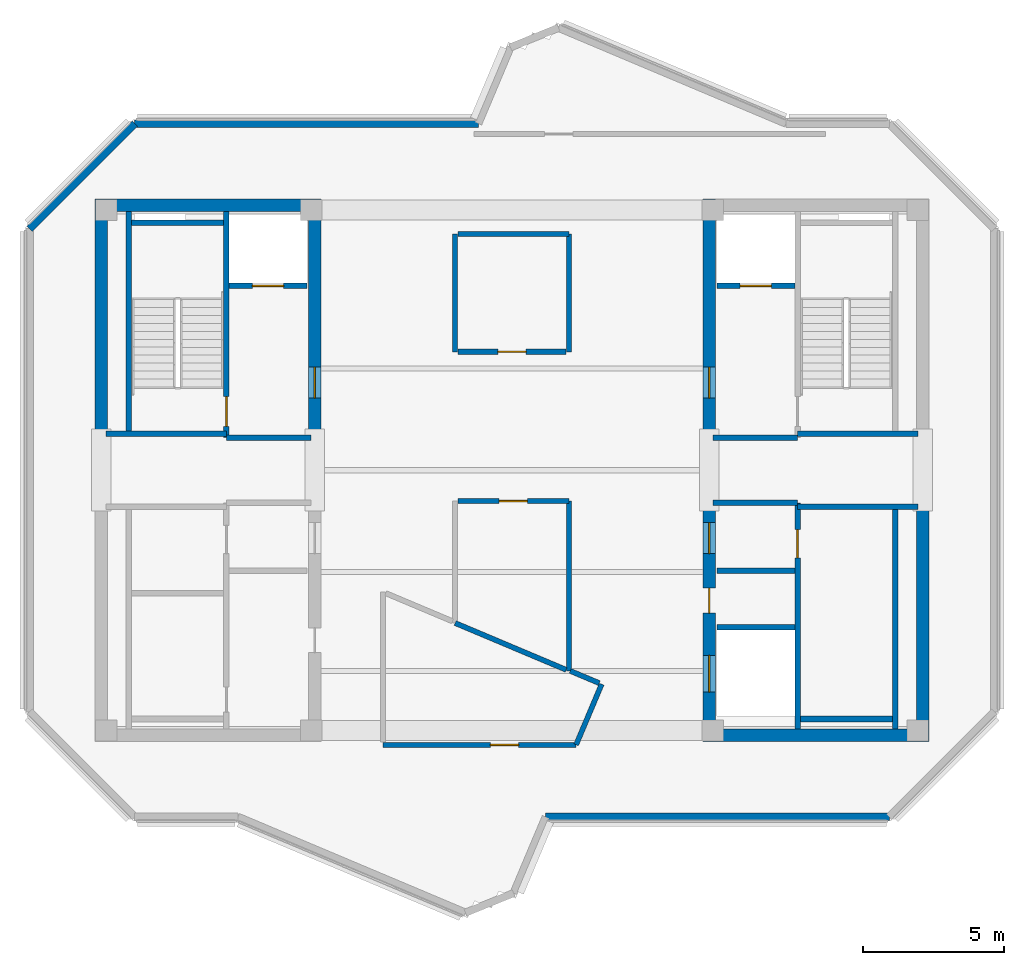
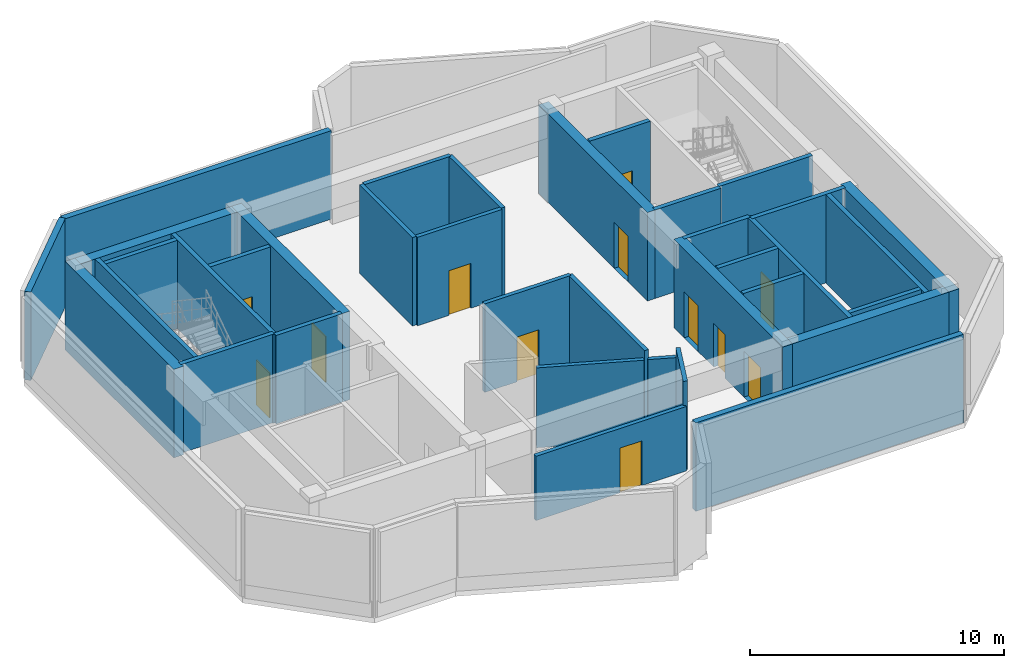
# One storey, part 2 of 5: 36 walls, 12 doors, 12 openings.
"""IFC4 building model written with IfcOpenShell, lengths in metres."""

from ifc_helpers import new_model, si_unit, direction, frame, frame_2d, origin, place, context, subcontext, project, spatial, rectangle, extrude, source, transform, mapped, material, layer, layer_set, type_object, element, fill, save


model = new_model("IFC4")

# Units and contexts
model_context = context("Model", 3, precision=1e-05, world=origin(), true_north=direction((0.0, 1.0)))
body_context = subcontext(model_context, "Body", "Model", "MODEL_VIEW")
ifc_project = project(units=[si_unit("LENGTHUNIT", "METRE"), si_unit("AREAUNIT", "SQUARE_METRE"), si_unit("VOLUMEUNIT", "CUBIC_METRE"), si_unit("PLANEANGLEUNIT", "RADIAN"), si_unit("MASSUNIT", "GRAM", prefix="KILO")], contexts=[model_context])

# Site, building, storey
site_placement = place(None, origin())
site = spatial("IfcSite", under=ifc_project, at=site_placement, CompositionType="ELEMENT")
building_placement = place(site_placement, origin())
building = spatial("IfcBuilding", under=site, at=building_placement, Name="Zahravan Cultural Tower", CompositionType="ELEMENT")
storey_placement = place(building_placement, frame((0.0, 0.0, 375.14990234375)))
storey = spatial("IfcBuildingStorey", under=building, at=storey_placement, Name="L91", CompositionType="ELEMENT", Elevation=375.14990234375)

# Wall, opening, door
ifc_material_1 = material(Name="Concrete C50/60", Category="concrete")
ifc_layer_1 = layer(ifc_material_1, 0.449951171875)
ifc_layer_set_1 = layer_set([ifc_layer_1], Name="Concrete C50/60")
wall_type_1 = type_object("IfcWallType", Name="CW-SHEAR-450-C50", PredefinedType="SHEAR", material=ifc_layer_set_1)
wall_1_placement = place(storey_placement, frame((29.02490234375, 28.050048828125, 0.0), z_axis=(0.0, 0.0, 1.0), x_axis=(0.0, 1.0, 0.0)))
wall_1 = element("IfcWall", 1, at=wall_1_placement, inside=storey, type_object=wall_type_1, Name="L91 Core Shear Wall CW-W-EN-L91", PredefinedType="SHEAR", context=body_context, shape_type="SweptSolid", body=[
    extrude(rectangle(XDim=8.550048828125, YDim=0.449951171875, at=frame_2d((4.27490234375, 0.0))), origin(), (0.0, 0.0, 1.0), 4.25),
])
opening_1_placement = place(wall_1_placement, frame((1.5, 0.0, 0.0)))
opening_1 = element("IfcOpeningElement", 2, at=opening_1_placement, cuts=wall_1, Name="Opening D-L91-06", PredefinedType="OPENING", context=body_context, shape_type="SweptSolid", body=[
    extrude(rectangle(XDim=1.10009765625, YDim=2.199951171875, at=frame_2d((0.550048828125, 1.10009765625))), frame((0.0, 0.23486328125, 0.0), z_axis=(0.0, -1.0, 0.0), x_axis=(1.0, 0.0, 0.0)), (0.0, 0.0, 1.0), 0.469970703125),
])
ifc_material_2 = material(Name="Steel ASTM A572 Grade 50", Category="steel")
door_type_1 = type_object("IfcDoorType", Name="DR-LOBBY-1100", OperationType="NOTDEFINED", PredefinedType="DOOR", material=ifc_material_2)
shared_shape_1 = source(origin(), body_context, "Body", "SweptSolid", [
    extrude(rectangle(XDim=1.10009765625, YDim=2.199951171875, at=frame_2d((0.550048828125, 1.10009765625))), frame((0.0, 0.02490234375, 0.0), z_axis=(0.0, -1.0, 0.0), x_axis=(1.0, 0.0, 0.0)), (0.0, 0.0, 1.0), 0.050048828125),
])
door_1_placement = place(opening_1_placement, origin())
door_1 = element("IfcDoor", 3, at=door_1_placement, inside=storey, type_object=door_type_1, Name="L91 Door D-L91-06", OperationType="SINGLE_SWING_LEFT", OverallHeight=2.199951171875, OverallWidth=1.10009765625, PredefinedType="DOOR", context=body_context, shape_type="MappedRepresentation", body=[
    mapped(shared_shape_1, transform((0.0, 0.0, 0.0), x_axis=(1.0, 0.0, 0.0), y_axis=(0.0, 1.0, 0.0), z_axis=(0.0, 0.0, 1.0), scale=1.0)),
])
fill(opening_1, door_1)

# Wall, openings, doors
wall_2_placement = place(storey_placement, frame((42.97509765625, 17.39990234375, 0.0), z_axis=(0.0, 0.0, 1.0), x_axis=(0.0, 1.0, 0.0)))
wall_2 = element("IfcWall", 4, at=wall_2_placement, inside=storey, type_object=wall_type_1, Name="L91 Core Shear Wall CW-E-WS-L91", PredefinedType="SHEAR", context=body_context, shape_type="SweptSolid", body=[
    extrude(rectangle(XDim=8.550048828125, YDim=0.449951171875, at=frame_2d((4.27490234375, 0.0))), origin(), (0.0, 0.0, 1.0), 4.25),
])
opening_2_placement = place(wall_2_placement, frame((6.64990234375, 0.0, 0.0)))
opening_2 = element("IfcOpeningElement", 5, at=opening_2_placement, cuts=wall_2, Name="Opening D-L91-09", PredefinedType="OPENING", context=body_context, shape_type="SweptSolid", body=[
    extrude(rectangle(XDim=1.10009765625, YDim=2.199951171875, at=frame_2d((0.550048828125, 1.10009765625))), frame((0.0, 0.23486328125, 0.0), z_axis=(0.0, -1.0, 0.0), x_axis=(1.0, 0.0, 0.0)), (0.0, 0.0, 1.0), 0.469970703125),
])
opening_3_placement = place(wall_2_placement, frame((1.75, 0.0, 0.0)))
opening_3 = element("IfcOpeningElement", 6, at=opening_3_placement, cuts=wall_2, Name="Opening LD-L91-03", PredefinedType="OPENING", context=body_context, shape_type="SweptSolid", body=[
    extrude(rectangle(XDim=1.300048828125, YDim=2.199951171875, at=frame_2d((0.64990234375, 1.10009765625))), frame((0.0, 0.23486328125, 0.0), z_axis=(0.0, -1.0, 0.0), x_axis=(1.0, 0.0, 0.0)), (0.0, 0.0, 1.0), 0.469970703125),
])
opening_4_placement = place(wall_2_placement, frame((4.550048828125, 0.0, 0.0)))
opening_4 = element("IfcOpeningElement", 7, at=opening_4_placement, cuts=wall_2, Name="Opening D-L91-11", PredefinedType="OPENING", context=body_context, shape_type="SweptSolid", body=[
    extrude(rectangle(XDim=0.8798828125, YDim=2.10009765625, at=frame_2d((0.43994140625, 1.050048828125))), frame((0.0, 0.23486328125, 0.0), z_axis=(0.0, -1.0, 0.0), x_axis=(1.0, 0.0, 0.0)), (0.0, 0.0, 1.0), 0.469970703125),
])
door_2_placement = place(opening_2_placement, origin())
door_2 = element("IfcDoor", 8, at=door_2_placement, inside=storey, type_object=door_type_1, Name="L91 Door D-L91-09", OperationType="SINGLE_SWING_RIGHT", OverallHeight=2.199951171875, OverallWidth=1.10009765625, PredefinedType="DOOR", context=body_context, shape_type="MappedRepresentation", body=[
    mapped(shared_shape_1, transform((0.0, 0.0, 0.0), x_axis=(1.0, 0.0, 0.0), y_axis=(0.0, 1.0, 0.0), z_axis=(0.0, 0.0, 1.0), scale=1.0)),
])
fill(opening_2, door_2)
door_type_2 = type_object("IfcDoorType", Name="DR-LIFT-1300", OperationType="DOUBLE_DOOR_SLIDING", PredefinedType="DOOR", material=ifc_material_2)
shared_shape_2 = source(origin(), body_context, "Body", "SweptSolid", [
    extrude(rectangle(XDim=1.300048828125, YDim=2.199951171875, at=frame_2d((0.64990234375, 1.10009765625))), frame((0.0, 0.02490234375, 0.0), z_axis=(0.0, -1.0, 0.0), x_axis=(1.0, 0.0, 0.0)), (0.0, 0.0, 1.0), 0.050048828125),
])
door_3_placement = place(opening_3_placement, origin())
door_3 = element("IfcDoor", 9, at=door_3_placement, inside=storey, type_object=door_type_2, Name="L91 Door LD-L91-03", OperationType="DOUBLE_DOOR_SLIDING", OverallHeight=2.199951171875, OverallWidth=1.300048828125, PredefinedType="DOOR", context=body_context, shape_type="MappedRepresentation", body=[
    mapped(shared_shape_2, transform((0.0, 0.0, 0.0), x_axis=(1.0, 0.0, 0.0), y_axis=(0.0, 1.0, 0.0), z_axis=(0.0, 0.0, 1.0), scale=1.0)),
])
fill(opening_3, door_3)
door_type_3 = type_object("IfcDoorType", Name="DR-SVC-880", OperationType="NOTDEFINED", PredefinedType="DOOR", material=ifc_material_2)
shared_shape_3 = source(origin(), body_context, "Body", "SweptSolid", [
    extrude(rectangle(XDim=0.8798828125, YDim=2.10009765625, at=frame_2d((0.43994140625, 1.050048828125))), frame((0.0, 0.02490234375, 0.0), z_axis=(0.0, -1.0, 0.0), x_axis=(1.0, 0.0, 0.0)), (0.0, 0.0, 1.0), 0.050048828125),
])
door_4_placement = place(opening_4_placement, origin())
door_4 = element("IfcDoor", 10, at=door_4_placement, inside=storey, type_object=door_type_3, Name="L91 Door D-L91-11", OperationType="SINGLE_SWING_RIGHT", OverallHeight=2.10009765625, OverallWidth=0.8798828125, PredefinedType="DOOR", context=body_context, shape_type="MappedRepresentation", body=[
    mapped(shared_shape_3, transform((0.0, 0.0, 0.0), x_axis=(1.0, 0.0, 0.0), y_axis=(0.0, 1.0, 0.0), z_axis=(0.0, 0.0, 1.0), scale=1.0)),
])
fill(opening_4, door_4)

# Wall, opening, door
wall_3_placement = place(storey_placement, frame((42.97509765625, 28.050048828125, 0.0), z_axis=(0.0, 0.0, 1.0), x_axis=(0.0, 1.0, 0.0)))
wall_3 = element("IfcWall", 11, at=wall_3_placement, inside=storey, type_object=wall_type_1, Name="L91 Core Shear Wall CW-E-WN-L91", PredefinedType="SHEAR", context=body_context, shape_type="SweptSolid", body=[
    extrude(rectangle(XDim=8.550048828125, YDim=0.449951171875, at=frame_2d((4.27490234375, 0.0))), origin(), (0.0, 0.0, 1.0), 4.25),
])
opening_5_placement = place(wall_3_placement, frame((1.5, 0.0, 0.0)))
opening_5 = element("IfcOpeningElement", 12, at=opening_5_placement, cuts=wall_3, Name="Opening D-L91-07", PredefinedType="OPENING", context=body_context, shape_type="SweptSolid", body=[
    extrude(rectangle(XDim=1.10009765625, YDim=2.199951171875, at=frame_2d((0.550048828125, 1.10009765625))), frame((0.0, 0.23486328125, 0.0), z_axis=(0.0, -1.0, 0.0), x_axis=(1.0, 0.0, 0.0)), (0.0, 0.0, 1.0), 0.469970703125),
])
door_5_placement = place(opening_5_placement, origin())
door_5 = element("IfcDoor", 13, at=door_5_placement, inside=storey, type_object=door_type_1, Name="L91 Door D-L91-07", OperationType="SINGLE_SWING_RIGHT", OverallHeight=2.199951171875, OverallWidth=1.10009765625, PredefinedType="DOOR", context=body_context, shape_type="MappedRepresentation", body=[
    mapped(shared_shape_1, transform((0.0, 0.0, 0.0), x_axis=(1.0, 0.0, 0.0), y_axis=(0.0, 1.0, 0.0), z_axis=(0.0, 0.0, 1.0), scale=1.0)),
])
fill(opening_5, door_5)

ifc_material_3 = material(Name="Gypsum plasterboard partition")
ifc_layer_2 = layer(ifc_material_3, 0.179931640625)
ifc_layer_set_2 = layer_set([ifc_layer_2], Name="Gypsum plasterboard partition")
wall_type_2 = type_object("IfcWallType", Name="W-COMP-180", PredefinedType="PARTITIONING", material=ifc_layer_set_2)
wall_4_placement = place(storey_placement, frame((37.9150390625, 31.18994140625, 0.0), z_axis=(0.0, 0.0, 1.0), x_axis=(-1.0, 0.0, 0.0)))
wall_4 = element("IfcWall", 14, at=wall_4_placement, inside=storey, type_object=wall_type_2, Name="L91 Interior Wall 030", PredefinedType="PARTITIONING", context=body_context, shape_type="SweptSolid", body=[
    extrude(rectangle(XDim=3.830078125, YDim=0.179931640625, at=frame_2d((1.9150390625, 0.0))), origin(), (0.0, 0.0, 1.0), 4.25),
])
opening_6_placement = place(wall_4_placement, frame((1.4150390625, 0.0, 0.0)))
opening_6 = element("IfcOpeningElement", 15, at=opening_6_placement, cuts=wall_4, Name="Opening D-L91-12", PredefinedType="OPENING", context=body_context, shape_type="SweptSolid", body=[
    extrude(rectangle(XDim=1.0, YDim=2.14990234375, at=frame_2d((0.5, 1.074951171875))), frame((0.0, 0.099853515625, 0.0), z_axis=(0.0, -1.0, 0.0), x_axis=(1.0, 0.0, 0.0)), (0.0, 0.0, 1.0), 0.199951171875),
])
door_type_4 = type_object("IfcDoorType", Name="DR-COMP-1000", OperationType="NOTDEFINED", PredefinedType="DOOR", material=ifc_material_2)
shared_shape_4 = source(origin(), body_context, "Body", "SweptSolid", [
    extrude(rectangle(XDim=1.0, YDim=2.14990234375, at=frame_2d((0.5, 1.074951171875))), frame((0.0, 0.02490234375, 0.0), z_axis=(0.0, -1.0, 0.0), x_axis=(1.0, 0.0, 0.0)), (0.0, 0.0, 1.0), 0.050048828125),
])
door_6_placement = place(opening_6_placement, origin())
door_6 = element("IfcDoor", 16, at=door_6_placement, inside=storey, type_object=door_type_4, Name="L91 Door D-L91-12", OperationType="SINGLE_SWING_LEFT", OverallHeight=2.14990234375, OverallWidth=1.0, PredefinedType="DOOR", context=body_context, shape_type="MappedRepresentation", body=[
    mapped(shared_shape_4, transform((0.0, 0.0, 0.0), x_axis=(1.0, 0.0, 0.0), y_axis=(0.0, 1.0, 0.0), z_axis=(0.0, 0.0, 1.0), scale=1.0)),
])
fill(opening_6, door_6)

wall_5_placement = place(storey_placement, frame((34.0849609375, 25.909912109375, 0.0), z_axis=(0.0, 0.0, 1.0), x_axis=(1.0, 0.0, 0.0)))
wall_5 = element("IfcWall", 17, at=wall_5_placement, inside=storey, type_object=wall_type_2, Name="L91 Interior Wall 032", PredefinedType="PARTITIONING", context=body_context, shape_type="SweptSolid", body=[
    extrude(rectangle(XDim=3.925048828125, YDim=0.179931640625, at=frame_2d((1.96240234375, 0.0))), origin(), (0.0, 0.0, 1.0), 4.25),
])
opening_7_placement = place(wall_5_placement, frame((1.46240234375, 0.0, 0.0)))
opening_7 = element("IfcOpeningElement", 18, at=opening_7_placement, cuts=wall_5, Name="Opening D-L91-15", PredefinedType="OPENING", context=body_context, shape_type="SweptSolid", body=[
    extrude(rectangle(XDim=1.0, YDim=2.14990234375, at=frame_2d((0.5, 1.074951171875))), frame((0.0, 0.099853515625, 0.0), z_axis=(0.0, -1.0, 0.0), x_axis=(1.0, 0.0, 0.0)), (0.0, 0.0, 1.0), 0.199951171875),
])
door_7_placement = place(opening_7_placement, origin())
door_7 = element("IfcDoor", 19, at=door_7_placement, inside=storey, type_object=door_type_4, Name="L91 Door D-L91-15", OperationType="SINGLE_SWING_RIGHT", OverallHeight=2.14990234375, OverallWidth=1.0, PredefinedType="DOOR", context=body_context, shape_type="MappedRepresentation", body=[
    mapped(shared_shape_4, transform((0.0, 0.0, 0.0), x_axis=(1.0, 0.0, 0.0), y_axis=(0.0, 1.0, 0.0), z_axis=(0.0, 0.0, 1.0), scale=1.0)),
])
fill(opening_7, door_7)

wall_6_placement = place(storey_placement, frame((38.267333984375, 17.2900390625, 0.0), z_axis=(0.0, 0.0, 1.0), x_axis=(-1.0, 0.0, 0.0)))
wall_6 = element("IfcWall", 20, at=wall_6_placement, inside=storey, type_object=wall_type_2, Name="L91 Interior Wall 037", PredefinedType="PARTITIONING", context=body_context, shape_type="SweptSolid", body=[
    extrude(rectangle(XDim=6.827392578125, YDim=0.179931640625, at=frame_2d((3.41357421875, 0.0))), origin(), (0.0, 0.0, 1.0), 3.092041015625),
])
opening_8_placement = place(wall_6_placement, frame((2.031982421875, 0.0, 0.0)))
opening_8 = element("IfcOpeningElement", 21, at=opening_8_placement, cuts=wall_6, Name="Opening D-L91-14", PredefinedType="OPENING", context=body_context, shape_type="SweptSolid", body=[
    extrude(rectangle(XDim=1.0, YDim=2.14990234375, at=frame_2d((0.5, 1.074951171875))), frame((0.0, 0.099853515625, 0.0), z_axis=(0.0, -1.0, 0.0), x_axis=(1.0, 0.0, 0.0)), (0.0, 0.0, 1.0), 0.199951171875),
])
door_8_placement = place(opening_8_placement, origin())
door_8 = element("IfcDoor", 22, at=door_8_placement, inside=storey, type_object=door_type_4, Name="L91 Door D-L91-14", OperationType="SINGLE_SWING_LEFT", OverallHeight=2.14990234375, OverallWidth=1.0, PredefinedType="DOOR", context=body_context, shape_type="MappedRepresentation", body=[
    mapped(shared_shape_4, transform((0.0, 0.0, 0.0), x_axis=(1.0, 0.0, 0.0), y_axis=(0.0, 1.0, 0.0), z_axis=(0.0, 0.0, 1.0), scale=1.0)),
])
fill(opening_8, door_8)

ifc_material_4 = material(Name="Concrete C45/55", Category="concrete")
ifc_layer_3 = layer(ifc_material_4, 0.199951171875)
ifc_layer_set_3 = layer_set([ifc_layer_3], Name="Concrete C45/55")
wall_type_3 = type_object("IfcWallType", Name="W-SHAFT-200", PredefinedType="SOLIDWALL", material=ifc_layer_set_3)
wall_7_placement = place(storey_placement, frame((25.89990234375, 28.14990234375, 0.0), z_axis=(0.0, 0.0, 1.0), x_axis=(0.0, 1.0, 0.0)))
wall_7 = element("IfcWall", 23, at=wall_7_placement, inside=storey, type_object=wall_type_3, Name="L91 Interior Wall 006", PredefinedType="SOLIDWALL", context=body_context, shape_type="SweptSolid", body=[
    extrude(rectangle(XDim=8.0, YDim=0.199951171875, at=frame_2d((4.0, 0.0))), origin(), (0.0, 0.0, 1.0), 4.25),
])
opening_9_placement = place(wall_7_placement, frame((0.39990234375, 0.0, 0.0)))
opening_9 = element("IfcOpeningElement", 24, at=opening_9_placement, cuts=wall_7, Name="Opening D-L91-01", PredefinedType="OPENING", context=body_context, shape_type="SweptSolid", body=[
    extrude(rectangle(XDim=1.050048828125, YDim=2.14990234375, at=frame_2d((0.52490234375, 1.074951171875))), frame((0.0, 0.10986328125, 0.0), z_axis=(0.0, -1.0, 0.0), x_axis=(1.0, 0.0, 0.0)), (0.0, 0.0, 1.0), 0.219970703125),
])
door_type_5 = type_object("IfcDoorType", Name="DR-STAIR-1050", OperationType="NOTDEFINED", PredefinedType="DOOR", material=ifc_material_2)
shared_shape_5 = source(origin(), body_context, "Body", "SweptSolid", [
    extrude(rectangle(XDim=1.050048828125, YDim=2.14990234375, at=frame_2d((0.52490234375, 1.074951171875))), frame((0.0, 0.02490234375, 0.0), z_axis=(0.0, -1.0, 0.0), x_axis=(1.0, 0.0, 0.0)), (0.0, 0.0, 1.0), 0.050048828125),
])
door_9_placement = place(opening_9_placement, origin())
door_9 = element("IfcDoor", 25, at=door_9_placement, inside=storey, type_object=door_type_5, Name="L91 Door D-L91-01", OperationType="SINGLE_SWING_RIGHT", OverallHeight=2.14990234375, OverallWidth=1.050048828125, PredefinedType="DOOR", context=body_context, shape_type="MappedRepresentation", body=[
    mapped(shared_shape_5, transform((0.0, 0.0, 0.0), x_axis=(1.0, 0.0, 0.0), y_axis=(0.0, 1.0, 0.0), z_axis=(0.0, 0.0, 1.0), scale=1.0)),
])
fill(opening_9, door_9)

wall_8_placement = place(storey_placement, frame((46.10009765625, 17.85009765625, 0.0), z_axis=(0.0, 0.0, 1.0), x_axis=(0.0, 1.0, 0.0)))
wall_8 = element("IfcWall", 26, at=wall_8_placement, inside=storey, type_object=wall_type_3, Name="L91 Interior Wall 007", PredefinedType="SOLIDWALL", context=body_context, shape_type="SweptSolid", body=[
    extrude(rectangle(XDim=8.0, YDim=0.199951171875, at=frame_2d((4.0, 0.0))), origin(), (0.0, 0.0, 1.0), 4.25),
])
opening_10_placement = place(wall_8_placement, frame((6.050048828125, 0.0, 0.0)))
opening_10 = element("IfcOpeningElement", 27, at=opening_10_placement, cuts=wall_8, Name="Opening D-L91-03", PredefinedType="OPENING", context=body_context, shape_type="SweptSolid", body=[
    extrude(rectangle(XDim=1.0, YDim=2.14990234375, at=frame_2d((0.5, 1.074951171875))), frame((0.0, 0.10986328125, 0.0), z_axis=(0.0, -1.0, 0.0), x_axis=(1.0, 0.0, 0.0)), (0.0, 0.0, 1.0), 0.219970703125),
])
door_10_placement = place(opening_10_placement, origin())
door_10 = element("IfcDoor", 28, at=door_10_placement, inside=storey, type_object=door_type_4, Name="L91 Door D-L91-03", OperationType="SINGLE_SWING_RIGHT", OverallHeight=2.14990234375, OverallWidth=1.0, PredefinedType="DOOR", context=body_context, shape_type="MappedRepresentation", body=[
    mapped(shared_shape_4, transform((0.0, 0.0, 0.0), x_axis=(1.0, 0.0, 0.0), y_axis=(0.0, 1.0, 0.0), z_axis=(0.0, 0.0, 1.0), scale=1.0)),
])
fill(opening_10, door_10)

wall_9_placement = place(storey_placement, frame((26.0, 33.52001953125, 0.0), z_axis=(0.0, 0.0, 1.0), x_axis=(1.0, 0.0, 0.0)))
wall_9 = element("IfcWall", 29, at=wall_9_placement, inside=storey, type_object=wall_type_3, Name="L91 Interior Wall 022", PredefinedType="SOLIDWALL", context=body_context, shape_type="SweptSolid", body=[
    extrude(rectangle(XDim=2.75, YDim=0.199951171875, at=frame_2d((1.375, 0.0))), origin(), (0.0, 0.0, 1.0), 4.25),
])
opening_11_placement = place(wall_9_placement, frame((0.820068359375, 0.0, 0.0)))
opening_11 = element("IfcOpeningElement", 30, at=opening_11_placement, cuts=wall_9, Name="Opening LD-L91-01", PredefinedType="OPENING", context=body_context, shape_type="SweptSolid", body=[
    extrude(rectangle(XDim=1.10009765625, YDim=2.14990234375, at=frame_2d((0.550048828125, 1.074951171875))), frame((0.0, 0.10986328125, 0.0), z_axis=(0.0, -1.0, 0.0), x_axis=(1.0, 0.0, 0.0)), (0.0, 0.0, 1.0), 0.219970703125),
])
door_type_6 = type_object("IfcDoorType", Name="DR-LIFT-1100", OperationType="DOUBLE_DOOR_SLIDING", PredefinedType="DOOR", material=ifc_material_2)
shared_shape_6 = source(origin(), body_context, "Body", "SweptSolid", [
    extrude(rectangle(XDim=1.10009765625, YDim=2.14990234375, at=frame_2d((0.550048828125, 1.074951171875))), frame((0.0, 0.02490234375, 0.0), z_axis=(0.0, -1.0, 0.0), x_axis=(1.0, 0.0, 0.0)), (0.0, 0.0, 1.0), 0.050048828125),
])
door_11_placement = place(opening_11_placement, origin())
door_11 = element("IfcDoor", 31, at=door_11_placement, inside=storey, type_object=door_type_6, Name="L91 Door LD-L91-01", OperationType="DOUBLE_DOOR_SLIDING", OverallHeight=2.14990234375, OverallWidth=1.10009765625, PredefinedType="DOOR", context=body_context, shape_type="MappedRepresentation", body=[
    mapped(shared_shape_6, transform((0.0, 0.0, 0.0), x_axis=(1.0, 0.0, 0.0), y_axis=(0.0, 1.0, 0.0), z_axis=(0.0, 0.0, 1.0), scale=1.0)),
])
fill(opening_11, door_11)

wall_10_placement = place(storey_placement, frame((43.25, 33.52001953125, 0.0), z_axis=(0.0, 0.0, 1.0), x_axis=(1.0, 0.0, 0.0)))
wall_10 = element("IfcWall", 32, at=wall_10_placement, inside=storey, type_object=wall_type_3, Name="L91 Interior Wall 023", PredefinedType="SOLIDWALL", context=body_context, shape_type="SweptSolid", body=[
    extrude(rectangle(XDim=2.75, YDim=0.199951171875, at=frame_2d((1.375, 0.0))), origin(), (0.0, 0.0, 1.0), 4.25),
])
opening_12_placement = place(wall_10_placement, frame((0.820068359375, 0.0, 0.0)))
opening_12 = element("IfcOpeningElement", 33, at=opening_12_placement, cuts=wall_10, Name="Opening LD-L91-02", PredefinedType="OPENING", context=body_context, shape_type="SweptSolid", body=[
    extrude(rectangle(XDim=1.10009765625, YDim=2.14990234375, at=frame_2d((0.550048828125, 1.074951171875))), frame((0.0, 0.10986328125, 0.0), z_axis=(0.0, -1.0, 0.0), x_axis=(1.0, 0.0, 0.0)), (0.0, 0.0, 1.0), 0.219970703125),
])
door_12_placement = place(opening_12_placement, origin())
door_12 = element("IfcDoor", 34, at=door_12_placement, inside=storey, type_object=door_type_6, Name="L91 Door LD-L91-02", OperationType="DOUBLE_DOOR_SLIDING", OverallHeight=2.14990234375, OverallWidth=1.10009765625, PredefinedType="DOOR", context=body_context, shape_type="MappedRepresentation", body=[
    mapped(shared_shape_6, transform((0.0, 0.0, 0.0), x_axis=(1.0, 0.0, 0.0), y_axis=(0.0, 1.0, 0.0), z_axis=(0.0, 0.0, 1.0), scale=1.0)),
])
fill(opening_12, door_12)

# Walls
shared_shape_7 = source(origin(), body_context, "Body", "SweptSolid", [
    extrude(rectangle(XDim=8.550048828125, YDim=0.449951171875, at=frame_2d((4.27490234375, 0.0))), origin(), (0.0, 0.0, 1.0), 4.25),
])
for number, where, z_axis, x_axis, name in (
    (35, (21.47509765625, 28.050048828125, 0.0), (0.0, 0.0, 1.0), (0.0, 1.0, 0.0), "L91 Core Shear Wall CW-W-WN-L91"),
    (36, (50.52490234375, 17.39990234375, 0.0), (0.0, 0.0, 1.0), (0.0, 1.0, 0.0), "L91 Core Shear Wall CW-E-ES-L91"),
):
    element("IfcWall", number, at=place(storey_placement, frame(where, z_axis=z_axis, x_axis=x_axis)), inside=storey, type_object=wall_type_1, Name=name, PredefinedType="SHEAR", context=body_context, shape_type="MappedRepresentation", body=[
        mapped(shared_shape_7, transform((0.0, 0.0, 0.0), x_axis=(1.0, 0.0, 0.0), y_axis=(0.0, 1.0, 0.0), z_axis=(0.0, 0.0, 1.0), scale=1.0)),
    ])
shared_shape_8 = source(origin(), body_context, "Body", "SweptSolid", [
    extrude(rectangle(XDim=7.10009765625, YDim=0.449951171875, at=frame_2d((3.550048828125, 0.0))), origin(), (0.0, 0.0, 1.0), 4.25),
])
for number, where, z_axis, x_axis, name in (
    (37, (21.699951171875, 36.375, 0.0), (0.0, 0.0, 1.0), (1.0, 0.0, 0.0), "L91 Core Shear Wall CW-W-N-L91"),
    (38, (43.199951171875, 17.625, 0.0), (0.0, 0.0, 1.0), (1.0, 0.0, 0.0), "L91 Core Shear Wall CW-E-S-L91"),
):
    element("IfcWall", number, at=place(storey_placement, frame(where, z_axis=z_axis, x_axis=x_axis)), inside=storey, type_object=wall_type_1, Name=name, PredefinedType="SHEAR", context=body_context, shape_type="MappedRepresentation", body=[
        mapped(shared_shape_8, transform((0.0, 0.0, 0.0), x_axis=(1.0, 0.0, 0.0), y_axis=(0.0, 1.0, 0.0), z_axis=(0.0, 0.0, 1.0), scale=1.0)),
    ])
ifc_material_5 = material(Name="Precast concrete C40/50", Category="concrete")
ifc_layer_4 = layer(ifc_material_5, 0.260009765625)
ifc_layer_set_4 = layer_set([ifc_layer_4], Name="Precast concrete C40/50")
wall_type_4 = type_object("IfcWallType", Name="EW-CROWN-260", PredefinedType="SOLIDWALL", material=ifc_layer_set_4)
shared_shape_9 = source(origin(), body_context, "Body", "SweptSolid", [
    extrude(rectangle(XDim=5.258056640625, YDim=0.260009765625, at=frame_2d((2.62890625, 0.0))), origin(), (0.0, 0.0, 1.0), 4.25),
])
wall_11_placement = place(storey_placement, frame((18.93994140625, 35.5419921875, 0.0), z_axis=(0.0, 0.0, 1.0), x_axis=(0.707106781187, 0.707106781187, 0.0)))
element("IfcWall", 39, at=wall_11_placement, inside=storey, type_object=wall_type_4, Name="L91 Exterior Masonry Frame Wall 15", PredefinedType="SOLIDWALL", context=body_context, shape_type="MappedRepresentation", body=[
    mapped(shared_shape_9, transform((0.0, 0.0, 0.0), x_axis=(1.0, 0.0, 0.0), y_axis=(0.0, 1.0, 0.0), z_axis=(0.0, 0.0, 1.0), scale=1.0)),
])
shared_shape_10 = source(origin(), body_context, "Body", "SweptSolid", [
    extrude(rectangle(XDim=12.149169921875, YDim=0.260009765625, at=frame_2d((6.07470703125, 0.0))), origin(), (0.0, 0.0, 1.0), 4.25),
])
for number, where, z_axis, x_axis, name in (
    (40, (49.342041015625, 14.739990234375, 0.0), (0.0, 0.0, 1.0), (-1.0, 0.0, 0.0), "L91 Exterior Masonry Frame Wall 08"),
    (41, (22.657958984375, 39.260009765625, 0.0), (0.0, 0.0, 1.0), (1.0, 0.0, 0.0), "L91 Exterior Masonry Frame Wall 16"),
):
    element("IfcWall", number, at=place(storey_placement, frame(where, z_axis=z_axis, x_axis=x_axis)), inside=storey, type_object=wall_type_4, Name=name, PredefinedType="SOLIDWALL", context=body_context, shape_type="MappedRepresentation", body=[
        mapped(shared_shape_10, transform((0.0, 0.0, 0.0), x_axis=(1.0, 0.0, 0.0), y_axis=(0.0, 1.0, 0.0), z_axis=(0.0, 0.0, 1.0), scale=1.0)),
    ])
shared_shape_11 = source(origin(), body_context, "Body", "SweptSolid", [
    extrude(rectangle(XDim=7.869873046875, YDim=0.199951171875, at=frame_2d((3.93505859375, 0.0))), origin(), (0.0, 0.0, 1.0), 4.25),
])
for number, where, z_axis, x_axis, name in (
    (42, (22.449951171875, 28.280029296875, 0.0), (0.0, 0.0, 1.0), (0.0, 1.0, 0.0), "L91 Interior Wall 002"),
    (43, (49.550048828125, 17.85009765625, 0.0), (0.0, 0.0, 1.0), (0.0, 1.0, 0.0), "L91 Interior Wall 003"),
):
    element("IfcWall", number, at=place(storey_placement, frame(where, z_axis=z_axis, x_axis=x_axis)), inside=storey, type_object=wall_type_3, Name=name, PredefinedType="SOLIDWALL", context=body_context, shape_type="MappedRepresentation", body=[
        mapped(shared_shape_11, transform((0.0, 0.0, 0.0), x_axis=(1.0, 0.0, 0.0), y_axis=(0.0, 1.0, 0.0), z_axis=(0.0, 0.0, 1.0), scale=1.0)),
    ])
shared_shape_12 = source(origin(), body_context, "Body", "SweptSolid", [
    extrude(rectangle(XDim=4.25, YDim=0.199951171875, at=frame_2d((2.125, 0.0))), origin(), (0.0, 0.0, 1.0), 4.25),
])
for number, where, z_axis, x_axis, name in (
    (44, (21.64990234375, 28.284912109375, 0.0), (0.0, 0.0, 1.0), (1.0, 0.0, 0.0), "L91 Interior Wall 011"),
    (45, (46.10009765625, 25.715087890625, 0.0), (0.0, 0.0, 1.0), (1.0, 0.0, 0.0), "L91 Interior Wall 014"),
    (46, (46.10009765625, 28.284912109375, 0.0), (0.0, 0.0, 1.0), (1.0, 0.0, 0.0), "L91 Interior Wall 016"),
):
    element("IfcWall", number, at=place(storey_placement, frame(where, z_axis=z_axis, x_axis=x_axis)), inside=storey, type_object=wall_type_3, Name=name, PredefinedType="SOLIDWALL", context=body_context, shape_type="MappedRepresentation", body=[
        mapped(shared_shape_12, transform((0.0, 0.0, 0.0), x_axis=(1.0, 0.0, 0.0), y_axis=(0.0, 1.0, 0.0), z_axis=(0.0, 0.0, 1.0), scale=1.0)),
    ])
shared_shape_13 = source(origin(), body_context, "Body", "SweptSolid", [
    extrude(rectangle(XDim=3.0, YDim=0.199951171875, at=frame_2d((1.5, 0.0))), origin(), (0.0, 0.0, 1.0), 4.25),
])
for number, where, z_axis, x_axis, name in (
    (47, (25.89990234375, 28.14990234375, 0.0), (0.0, 0.0, 1.0), (1.0, 0.0, 0.0), "L91 Interior Wall 012"),
    (48, (43.10009765625, 25.85009765625, 0.0), (0.0, 0.0, 1.0), (1.0, 0.0, 0.0), "L91 Interior Wall 013"),
    (49, (43.10009765625, 28.14990234375, 0.0), (0.0, 0.0, 1.0), (1.0, 0.0, 0.0), "L91 Interior Wall 015"),
):
    element("IfcWall", number, at=place(storey_placement, frame(where, z_axis=z_axis, x_axis=x_axis)), inside=storey, type_object=wall_type_3, Name=name, PredefinedType="SOLIDWALL", context=body_context, shape_type="MappedRepresentation", body=[
        mapped(shared_shape_13, transform((0.0, 0.0, 0.0), x_axis=(1.0, 0.0, 0.0), y_axis=(0.0, 1.0, 0.0), z_axis=(0.0, 0.0, 1.0), scale=1.0)),
    ])
shared_shape_14 = source(origin(), body_context, "Body", "SweptSolid", [
    extrude(rectangle(XDim=3.25, YDim=0.199951171875, at=frame_2d((1.625, 0.0))), origin(), (0.0, 0.0, 1.0), 4.25),
])
for number, where, z_axis, x_axis, name in (
    (50, (22.550048828125, 35.75, 0.0), (0.0, 0.0, 1.0), (1.0, 0.0, 0.0), "L91 Interior Wall 017"),
    (51, (46.199951171875, 18.199951171875, 0.0), (0.0, 0.0, 1.0), (1.0, 0.0, 0.0), "L91 Interior Wall 020"),
):
    element("IfcWall", number, at=place(storey_placement, frame(where, z_axis=z_axis, x_axis=x_axis)), inside=storey, type_object=wall_type_3, Name=name, PredefinedType="SOLIDWALL", context=body_context, shape_type="MappedRepresentation", body=[
        mapped(shared_shape_14, transform((0.0, 0.0, 0.0), x_axis=(1.0, 0.0, 0.0), y_axis=(0.0, 1.0, 0.0), z_axis=(0.0, 0.0, 1.0), scale=1.0)),
    ])
shared_shape_15 = source(origin(), body_context, "Body", "SweptSolid", [
    extrude(rectangle(XDim=2.75, YDim=0.199951171875, at=frame_2d((1.375, 0.0))), origin(), (0.0, 0.0, 1.0), 4.25),
])
for number, where, z_axis, x_axis, name in (
    (52, (43.25, 23.449951171875, 0.0), (0.0, 0.0, 1.0), (1.0, 0.0, 0.0), "L91 Interior Wall 025"),
    (53, (43.25, 21.449951171875, 0.0), (0.0, 0.0, 1.0), (1.0, 0.0, 0.0), "L91 Interior Wall 026"),
):
    element("IfcWall", number, at=place(storey_placement, frame(where, z_axis=z_axis, x_axis=x_axis)), inside=storey, type_object=wall_type_3, Name=name, PredefinedType="SOLIDWALL", context=body_context, shape_type="MappedRepresentation", body=[
        mapped(shared_shape_15, transform((0.0, 0.0, 0.0), x_axis=(1.0, 0.0, 0.0), y_axis=(0.0, 1.0, 0.0), z_axis=(0.0, 0.0, 1.0), scale=1.0)),
    ])
shared_shape_16 = source(origin(), body_context, "Body", "SweptSolid", [
    extrude(rectangle(XDim=6.00732421875, YDim=0.179931640625, at=frame_2d((3.003662109375, 0.0))), origin(), (0.0, 0.0, 1.0), 4.25),
])
wall_12_placement = place(storey_placement, frame((38.010009765625, 25.909912109375, 0.0), z_axis=(0.0, 0.0, 1.0), x_axis=(0.0, -1.0, 0.0)))
element("IfcWall", 54, at=wall_12_placement, inside=storey, type_object=wall_type_2, Name="L91 Interior Wall 033", PredefinedType="PARTITIONING", context=body_context, shape_type="MappedRepresentation", body=[
    mapped(shared_shape_16, transform((0.0, 0.0, 0.0), x_axis=(1.0, 0.0, 0.0), y_axis=(0.0, 1.0, 0.0), z_axis=(0.0, 0.0, 1.0), scale=1.0)),
])
shared_shape_17 = source(origin(), body_context, "Body", "SweptSolid", [
    extrude(rectangle(XDim=4.25927734375, YDim=0.179931640625, at=frame_2d((2.129638671875, 0.0))), origin(), (0.0, 0.0, 1.0), 3.836181640625),
])
wall_13_placement = place(storey_placement, frame((37.9150390625, 19.9423828125, 0.0), z_axis=(0.0, 0.0, 1.0), x_axis=(-0.921517727691, 0.388336294403, 0.0)))
element("IfcWall", 55, at=wall_13_placement, inside=storey, type_object=wall_type_2, Name="L91 Interior Wall 034", PredefinedType="PARTITIONING", context=body_context, shape_type="MappedRepresentation", body=[
    mapped(shared_shape_17, transform((0.0, 0.0, 0.0), x_axis=(1.0, 0.0, 0.0), y_axis=(0.0, 1.0, 0.0), z_axis=(0.0, 0.0, 1.0), scale=1.0)),
])
shared_shape_18 = source(origin(), body_context, "Body", "SweptSolid", [
    extrude(rectangle(XDim=2.327392578125, YDim=0.179931640625, at=frame_2d((1.16357421875, 0.0))), origin(), (0.0, 0.0, 1.0), 4.25),
])
wall_14_placement = place(storey_placement, frame((39.171142578125, 19.434814453125, 0.0), z_axis=(0.0, 0.0, 1.0), x_axis=(-0.388328975107, -0.921520812078, 0.0)))
element("IfcWall", 56, at=wall_14_placement, inside=storey, type_object=wall_type_2, Name="L91 Interior Wall 036", PredefinedType="PARTITIONING", context=body_context, shape_type="MappedRepresentation", body=[
    mapped(shared_shape_18, transform((0.0, 0.0, 0.0), x_axis=(1.0, 0.0, 0.0), y_axis=(0.0, 1.0, 0.0), z_axis=(0.0, 0.0, 1.0), scale=1.0)),
])
shared_shape_19 = source(origin(), body_context, "Body", "SweptSolid", [
    extrude(rectangle(XDim=1.109375, YDim=0.179931640625, at=frame_2d((0.5546875, 0.0))), origin(), (0.0, 0.0, 1.0), 3.836181640625),
])
wall_15_placement = place(storey_placement, frame((38.0615234375, 19.902587890625, 0.0), z_axis=(0.0, 0.0, 1.0), x_axis=(0.921473730863, -0.388440681866, 0.0)))
element("IfcWall", 57, at=wall_15_placement, inside=storey, type_object=wall_type_2, Name="L91 Interior Wall 040", PredefinedType="PARTITIONING", context=body_context, shape_type="MappedRepresentation", body=[
    mapped(shared_shape_19, transform((0.0, 0.0, 0.0), x_axis=(1.0, 0.0, 0.0), y_axis=(0.0, 1.0, 0.0), z_axis=(0.0, 0.0, 1.0), scale=1.0)),
])
shared_shape_20 = source(origin(), body_context, "Body", "SweptSolid", [
    extrude(rectangle(XDim=4.170166015625, YDim=0.179931640625, at=frame_2d((2.0849609375, 0.0))), origin(), (0.0, 0.0, 1.0), 4.25),
])
for number, where, z_axis, x_axis, name in (
    (58, (33.989990234375, 31.18994140625, 0.0), (0.0, 0.0, 1.0), (0.0, 1.0, 0.0), "L91 Interior Wall 027"),
    (59, (38.010009765625, 35.360107421875, 0.0), (0.0, 0.0, 1.0), (0.0, -1.0, 0.0), "L91 Interior Wall 029"),
):
    element("IfcWall", number, at=place(storey_placement, frame(where, z_axis=z_axis, x_axis=x_axis)), inside=storey, type_object=wall_type_2, Name=name, PredefinedType="PARTITIONING", context=body_context, shape_type="MappedRepresentation", body=[
        mapped(shared_shape_20, transform((0.0, 0.0, 0.0), x_axis=(1.0, 0.0, 0.0), y_axis=(0.0, 1.0, 0.0), z_axis=(0.0, 0.0, 1.0), scale=1.0)),
    ])
shared_shape_21 = source(origin(), body_context, "Body", "SweptSolid", [
    extrude(rectangle(XDim=3.925048828125, YDim=0.179931640625, at=frame_2d((1.96240234375, 0.0))), origin(), (0.0, 0.0, 1.0), 4.25),
])
wall_16_placement = place(storey_placement, frame((34.0849609375, 35.360107421875, 0.0), z_axis=(0.0, 0.0, 1.0), x_axis=(1.0, 0.0, 0.0)))
element("IfcWall", 60, at=wall_16_placement, inside=storey, type_object=wall_type_2, Name="L91 Interior Wall 028", PredefinedType="PARTITIONING", context=body_context, shape_type="MappedRepresentation", body=[
    mapped(shared_shape_21, transform((0.0, 0.0, 0.0), x_axis=(1.0, 0.0, 0.0), y_axis=(0.0, 1.0, 0.0), z_axis=(0.0, 0.0, 1.0), scale=1.0)),
])

save(model, "model.ifc")
